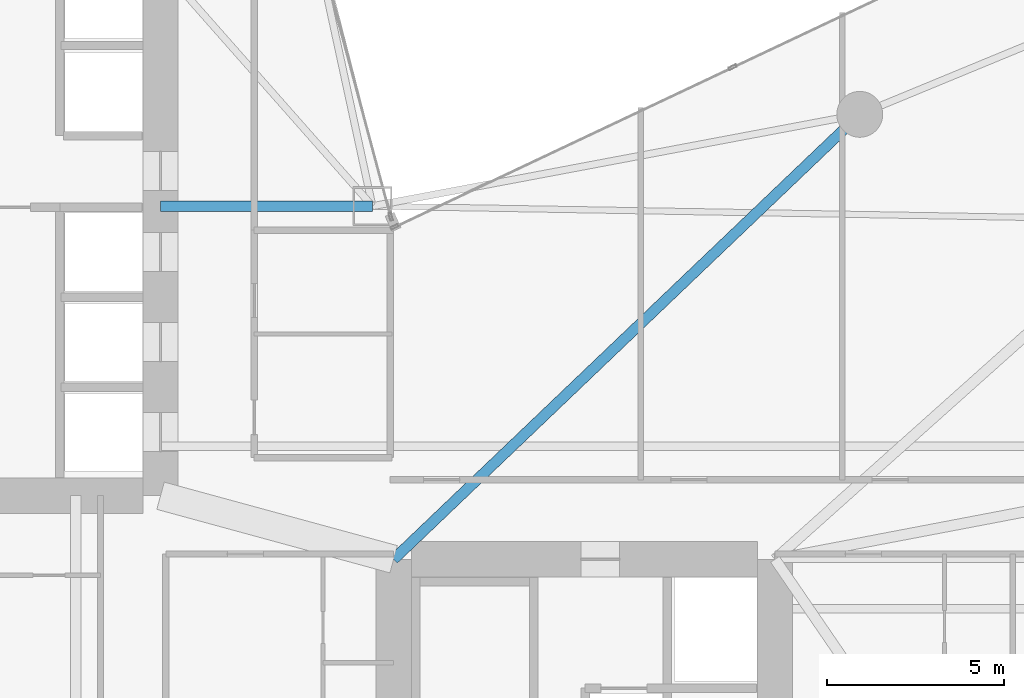
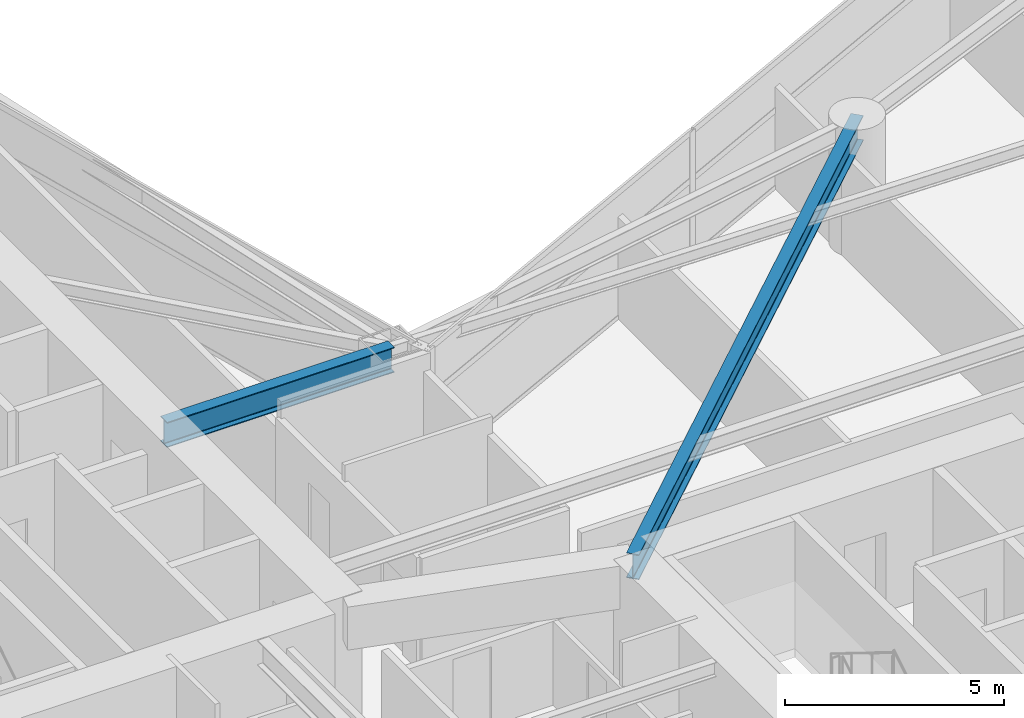
# One storey, part 9 of 30: 2 beams.
"""IFC4 building model written with IfcOpenShell, lengths in metres."""

from ifc_helpers import new_model, si_unit, direction, frame, origin, origin_2d, place, context, subcontext, project, spatial, i_section, extrude, material, material_profile, profile_set, type_object, element, save


model = new_model("IFC4")

# Units and contexts
model_context = context("Model", 3, precision=1e-05, world=origin(), true_north=direction((0.0, 1.0)))
body_context = subcontext(model_context, "Body", "Model", "MODEL_VIEW")
ifc_project = project(units=[si_unit("LENGTHUNIT", "METRE"), si_unit("AREAUNIT", "SQUARE_METRE"), si_unit("VOLUMEUNIT", "CUBIC_METRE"), si_unit("PLANEANGLEUNIT", "RADIAN"), si_unit("MASSUNIT", "GRAM", prefix="KILO")], contexts=[model_context])

# Site, building, storey
site_placement = place(None, origin())
site = spatial("IfcSite", under=ifc_project, at=site_placement, CompositionType="ELEMENT")
building_placement = place(site_placement, origin())
building = spatial("IfcBuilding", under=site, at=building_placement, Name="Calvorn Quay Hotel", CompositionType="ELEMENT")
storey_placement = place(building_placement, frame((0.0, 0.0, 54.60009765625)))
storey = spatial("IfcBuildingStorey", under=building, at=storey_placement, Name="L12", CompositionType="ELEMENT", Elevation=54.60009765625)

# Beams
ifc_material = material(Name="Steel Q390GJC", Category="steel")
ifc_material_profile = material_profile(ifc_material, i_section(OverallWidth=0.300048828125, OverallDepth=0.699951171875, WebThickness=0.012939453125, FlangeThickness=0.02392578125, FilletRadius=0.02392578125, at=origin_2d()), Name="HN700x300x13x24")
ifc_profile_set = profile_set([ifc_material_profile], Name="Steel Q390GJC")
beam_type = type_object("IfcBeamType", Name="BM-GIRD-MAIN", PredefinedType="BEAM", material=ifc_profile_set)
beam_1_placement = place(storey_placement, frame((21.0, 25.0, 3.18994140625), z_axis=(-1.0, 0.0, 0.0), x_axis=(0.0, -1.0, 0.0)))
element("IfcBeam", 1, at=beam_1_placement, inside=storey, type_object=beam_type, Name="Beam BG-L12-W7", PredefinedType="BEAM", context=body_context, shape_type="SweptSolid", body=[
    extrude(i_section(OverallWidth=0.300048828125, OverallDepth=0.699951171875, WebThickness=0.012939453125, FlangeThickness=0.02392578125, FilletRadius=0.02392578125, at=origin_2d()), origin(), (0.0, 0.0, 1.0), 6.0),
])
beam_2_placement = place(storey_placement, frame((21.60009765625, 15.0, 3.18994140625), z_axis=(0.723351595578, 0.690479883252, 0.0), x_axis=(-0.690479883252, 0.723351595578, 0.0)))
element("IfcBeam", 2, at=beam_2_placement, inside=storey, type_object=beam_type, Name="Beam BG-L12-E4", PredefinedType="BEAM", context=body_context, shape_type="SweptSolid", body=[
    extrude(i_section(OverallWidth=0.300048828125, OverallDepth=0.699951171875, WebThickness=0.012939453125, FlangeThickness=0.02392578125, FilletRadius=0.02392578125, at=origin_2d()), origin(), (0.0, 0.0, 1.0), 18.248291015625),
])

save(model, "model.ifc")
